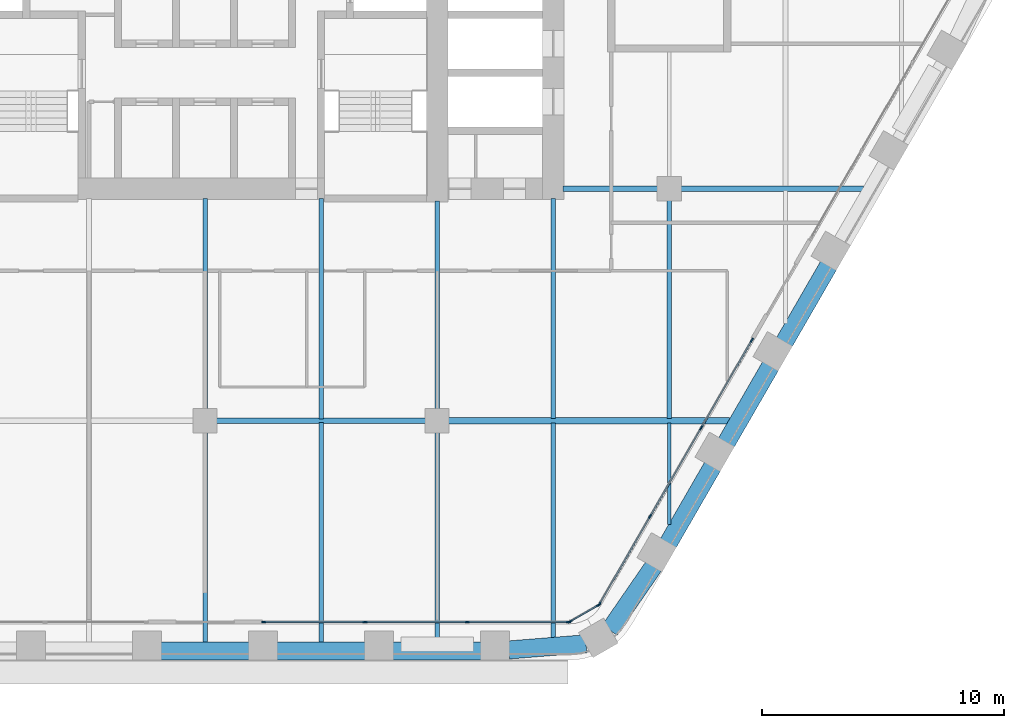
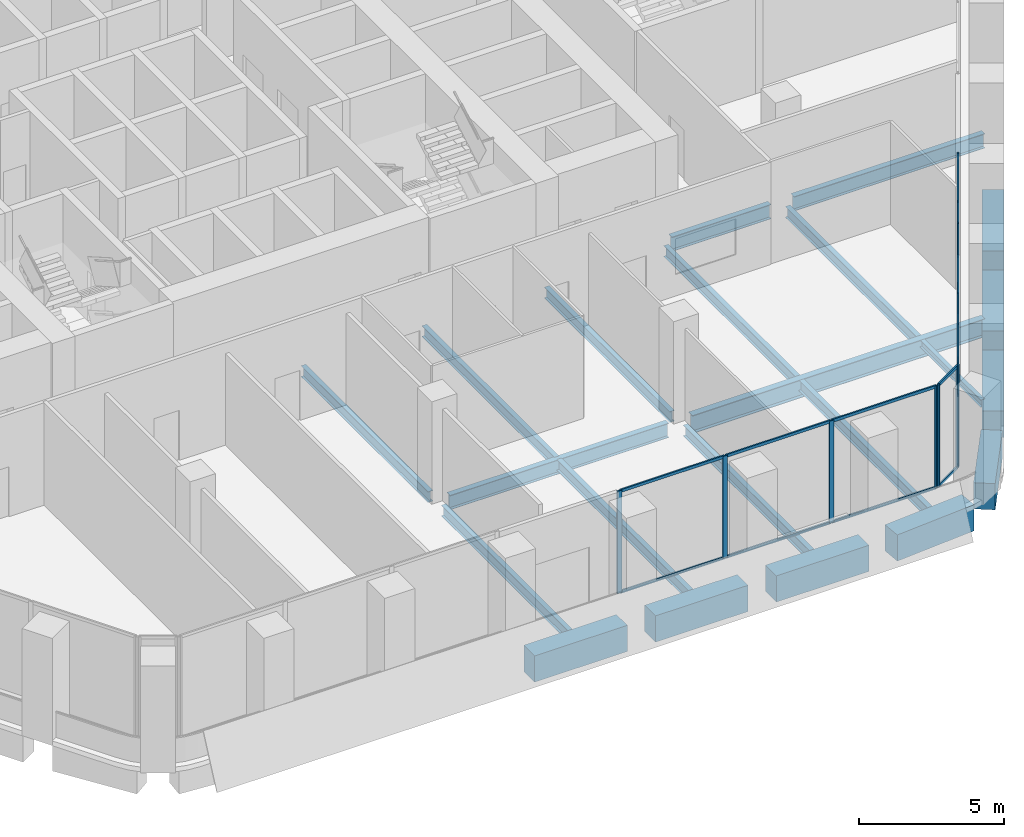
# One storey, part 4 of 22: 24 members, 22 beams, 3 elements without a shape of their own.
"""IFC4 building model written with IfcOpenShell, lengths in metres."""

from ifc_helpers import new_model, si_unit, direction, frame, origin, origin_2d, place, context, subcontext, project, spatial, rectangle, i_section, extrude, material, material_profile, profile_set, type_object, element, aggregate, save


model = new_model("IFC4")

# Units and contexts
model_context = context("Model", 3, precision=1e-05, world=origin(), true_north=direction((0.0, 1.0)))
body_context = subcontext(model_context, "Body", "Model", "MODEL_VIEW")
ifc_project = project(units=[si_unit("LENGTHUNIT", "METRE"), si_unit("AREAUNIT", "SQUARE_METRE"), si_unit("VOLUMEUNIT", "CUBIC_METRE"), si_unit("PLANEANGLEUNIT", "RADIAN"), si_unit("MASSUNIT", "GRAM", prefix="KILO")], contexts=[model_context])

# Site, building, storey
site_placement = place(None, origin())
site = spatial("IfcSite", under=ifc_project, at=site_placement, CompositionType="ELEMENT")
building_placement = place(site_placement, origin())
building = spatial("IfcBuilding", under=site, at=building_placement, Name="Kolab Exchange Tower", CompositionType="ELEMENT")
storey_placement = place(building_placement, frame((0.0, 0.0, 82.39990234375)))
storey = spatial("IfcBuildingStorey", under=building, at=storey_placement, Name="L15", CompositionType="ELEMENT", Elevation=82.39990234375)

# Beams
ifc_material_1 = material(Name="Steel S355", Category="steel")
ifc_material_profile_1 = material_profile(ifc_material_1, i_section(OverallWidth=0.1650390625, OverallDepth=0.31005859375, WebThickness=0.005859375, FlangeThickness=0.009765625, at=origin_2d()), Name="W310X39")
ifc_profile_set_1 = profile_set([ifc_material_profile_1], Name="Steel S355")
beam_type_1 = type_object("IfcBeamType", Name="FLOOR BEAM W310X39", PredefinedType="BEAM", material=ifc_profile_set_1)
beam_1_placement = place(storey_placement, frame((19.199951171875, -23.4814453125, -0.35498046875), z_axis=(0.0, 1.0, 0.0), x_axis=(-1.0, 0.0, 0.0)))
element("IfcBeam", 1, at=beam_1_placement, inside=storey, type_object=beam_type_1, Name="beam/L15/fr/040", PredefinedType="BEAM", context=body_context, shape_type="SweptSolid", body=[
    extrude(i_section(OverallWidth=0.1650390625, OverallDepth=0.31005859375, WebThickness=0.005859375, FlangeThickness=0.009765625, at=origin_2d()), origin(), (0.0, 0.0, 1.0), 4.18798828125),
])
ifc_material_profile_2 = material_profile(ifc_material_1, i_section(OverallWidth=0.18994140625, OverallDepth=0.45703125, WebThickness=0.009033203125, FlangeThickness=0.014404296875, at=origin_2d()), Name="W460X74")
ifc_profile_set_2 = profile_set([ifc_material_profile_2], Name="Steel S355")
beam_type_2 = type_object("IfcBeamType", Name="FLOOR BEAM W460X74", PredefinedType="BEAM", material=ifc_profile_set_2)
beam_2_placement = place(storey_placement, frame((0.0, -28.388427734375, -0.428466796875), z_axis=(0.0, 1.0, 0.0), x_axis=(-1.0, 0.0, 0.0)))
element("IfcBeam", 2, at=beam_2_placement, inside=storey, type_object=beam_type_2, Name="beam/L15/fr/024", PredefinedType="BEAM", context=body_context, shape_type="SweptSolid", body=[
    extrude(i_section(OverallWidth=0.18994140625, OverallDepth=0.45703125, WebThickness=0.009033203125, FlangeThickness=0.014404296875, at=origin_2d()), origin(), (0.0, 0.0, 1.0), 8.728515625),
])
beam_3_placement = place(storey_placement, frame((0.0, -18.739990234375, -0.428466796875), z_axis=(0.0, 1.0, 0.0), x_axis=(-1.0, 0.0, 0.0)))
element("IfcBeam", 3, at=beam_3_placement, inside=storey, type_object=beam_type_2, Name="beam/L15/fr/025", PredefinedType="BEAM", context=body_context, shape_type="SweptSolid", body=[
    extrude(i_section(OverallWidth=0.18994140625, OverallDepth=0.45703125, WebThickness=0.009033203125, FlangeThickness=0.014404296875, at=origin_2d()), origin(), (0.0, 0.0, 1.0), 8.72998046875),
])
beam_4_placement = place(storey_placement, frame((4.800048828125, -28.388427734375, -0.428466796875), z_axis=(0.0, 1.0, 0.0), x_axis=(-1.0, 0.0, 0.0)))
element("IfcBeam", 4, at=beam_4_placement, inside=storey, type_object=beam_type_2, Name="beam/L15/fr/028", PredefinedType="BEAM", context=body_context, shape_type="SweptSolid", body=[
    extrude(i_section(OverallWidth=0.18994140625, OverallDepth=0.45703125, WebThickness=0.009033203125, FlangeThickness=0.014404296875, at=origin_2d()), origin(), (0.0, 0.0, 1.0), 9.114501953125),
])
beam_5_placement = place(storey_placement, frame((4.800048828125, -19.1259765625, -0.428466796875), z_axis=(0.0, 1.0, 0.0), x_axis=(-1.0, 0.0, 0.0)))
element("IfcBeam", 5, at=beam_5_placement, inside=storey, type_object=beam_type_2, Name="beam/L15/fr/029", PredefinedType="BEAM", context=body_context, shape_type="SweptSolid", body=[
    extrude(i_section(OverallWidth=0.18994140625, OverallDepth=0.45703125, WebThickness=0.009033203125, FlangeThickness=0.014404296875, at=origin_2d()), origin(), (0.0, 0.0, 1.0), 9.115966796875),
])
beam_6_placement = place(storey_placement, frame((9.60009765625, -28.388427734375, -0.428466796875), z_axis=(0.0, 1.0, 0.0), x_axis=(-1.0, 0.0, 0.0)))
element("IfcBeam", 6, at=beam_6_placement, inside=storey, type_object=beam_type_2, Name="beam/L15/fr/032", PredefinedType="BEAM", context=body_context, shape_type="SweptSolid", body=[
    extrude(i_section(OverallWidth=0.18994140625, OverallDepth=0.45703125, WebThickness=0.009033203125, FlangeThickness=0.014404296875, at=origin_2d()), origin(), (0.0, 0.0, 1.0), 8.728515625),
])
beam_7_placement = place(storey_placement, frame((9.60009765625, -18.739990234375, -0.428466796875), z_axis=(0.0, 1.0, 0.0), x_axis=(-1.0, 0.0, 0.0)))
element("IfcBeam", 7, at=beam_7_placement, inside=storey, type_object=beam_type_2, Name="beam/L15/fr/033", PredefinedType="BEAM", context=body_context, shape_type="SweptSolid", body=[
    extrude(i_section(OverallWidth=0.18994140625, OverallDepth=0.45703125, WebThickness=0.009033203125, FlangeThickness=0.014404296875, at=origin_2d()), origin(), (0.0, 0.0, 1.0), 8.6298828125),
])
beam_8_placement = place(storey_placement, frame((14.39990234375, -28.194580078125, -0.428466796875), z_axis=(0.0, 1.0, 0.0), x_axis=(-1.0, 0.0, 0.0)))
element("IfcBeam", 8, at=beam_8_placement, inside=storey, type_object=beam_type_2, Name="beam/L15/fr/036", PredefinedType="BEAM", context=body_context, shape_type="SweptSolid", body=[
    extrude(i_section(OverallWidth=0.18994140625, OverallDepth=0.45703125, WebThickness=0.009033203125, FlangeThickness=0.014404296875, at=origin_2d()), origin(), (0.0, 0.0, 1.0), 8.901123046875),
])
beam_9_placement = place(storey_placement, frame((14.39990234375, -19.1064453125, -0.428466796875), z_axis=(0.0, 1.0, 0.0), x_axis=(-1.0, 0.0, 0.0)))
element("IfcBeam", 9, at=beam_9_placement, inside=storey, type_object=beam_type_2, Name="beam/L15/fr/037", PredefinedType="BEAM", context=body_context, shape_type="SweptSolid", body=[
    extrude(i_section(OverallWidth=0.18994140625, OverallDepth=0.45703125, WebThickness=0.009033203125, FlangeThickness=0.014404296875, at=origin_2d()), origin(), (0.0, 0.0, 1.0), 9.096435546875),
])
beam_10_placement = place(storey_placement, frame((19.199951171875, -19.1064453125, -0.428466796875), z_axis=(0.0, 1.0, 0.0), x_axis=(-1.0, 0.0, 0.0)))
element("IfcBeam", 10, at=beam_10_placement, inside=storey, type_object=beam_type_2, Name="beam/L15/fr/041", PredefinedType="BEAM", context=body_context, shape_type="SweptSolid", body=[
    extrude(i_section(OverallWidth=0.18994140625, OverallDepth=0.45703125, WebThickness=0.009033203125, FlangeThickness=0.014404296875, at=origin_2d()), origin(), (0.0, 0.0, 1.0), 9.04638671875),
])
ifc_material_profile_3 = material_profile(ifc_material_1, i_section(OverallWidth=0.22802734375, OverallDepth=0.60791015625, WebThickness=0.01123046875, FlangeThickness=0.017333984375, at=origin_2d()), Name="W610X113")
ifc_profile_set_3 = profile_set([ifc_material_profile_3], Name="Steel S355")
beam_type_3 = type_object("IfcBeamType", Name="FLOOR GIRDER W610X113", PredefinedType="BEAM", material=ifc_profile_set_3)
beam_11_placement = place(storey_placement, frame((0.4599609375, -19.199951171875, -0.50390625), z_axis=(1.0, 0.0, 0.0), x_axis=(0.0, 1.0, 0.0)))
element("IfcBeam", 11, at=beam_11_placement, inside=storey, type_object=beam_type_3, Name="beam/L15/gd/010", PredefinedType="BEAM", context=body_context, shape_type="SweptSolid", body=[
    extrude(i_section(OverallWidth=0.22802734375, OverallDepth=0.60791015625, WebThickness=0.01123046875, FlangeThickness=0.017333984375, at=origin_2d()), origin(), (0.0, 0.0, 1.0), 8.679931640625),
])
beam_12_placement = place(storey_placement, frame((14.81005859375, -9.60009765625, -0.50390625), z_axis=(1.0, 0.0, 0.0), x_axis=(0.0, 1.0, 0.0)))
element("IfcBeam", 12, at=beam_12_placement, inside=storey, type_object=beam_type_3, Name="beam/L15/gd/014", PredefinedType="BEAM", context=body_context, shape_type="SweptSolid", body=[
    extrude(i_section(OverallWidth=0.22802734375, OverallDepth=0.60791015625, WebThickness=0.01123046875, FlangeThickness=0.017333984375, at=origin_2d()), origin(), (0.0, 0.0, 1.0), 3.929931640625),
])
beam_13_placement = place(storey_placement, frame((19.659912109375, -9.60009765625, -0.50390625), z_axis=(1.0, 0.0, 0.0), x_axis=(0.0, 1.0, 0.0)))
element("IfcBeam", 13, at=beam_13_placement, inside=storey, type_object=beam_type_3, Name="beam/L15/gd/017", PredefinedType="BEAM", context=body_context, shape_type="SweptSolid", body=[
    extrude(i_section(OverallWidth=0.22802734375, OverallDepth=0.60791015625, WebThickness=0.01123046875, FlangeThickness=0.017333984375, at=origin_2d()), origin(), (0.0, 0.0, 1.0), 7.571533203125),
])
ifc_material_profile_4 = material_profile(ifc_material_1, i_section(OverallWidth=0.26708984375, OverallDepth=0.761962890625, WebThickness=0.014404296875, FlangeThickness=0.021484375, at=origin_2d()), Name="W760X173")
ifc_profile_set_4 = profile_set([ifc_material_profile_4], Name="Steel S355")
beam_type_4 = type_object("IfcBeamType", Name="FLOOR GIRDER W760X173", PredefinedType="BEAM", material=ifc_profile_set_4)
beam_14_placement = place(storey_placement, frame((10.06005859375, -19.199951171875, -0.580810546875), z_axis=(1.0, 0.0, 0.0), x_axis=(0.0, 1.0, 0.0)))
element("IfcBeam", 14, at=beam_14_placement, inside=storey, type_object=beam_type_4, Name="beam/L15/gd/012", PredefinedType="BEAM", context=body_context, shape_type="SweptSolid", body=[
    extrude(i_section(OverallWidth=0.26708984375, OverallDepth=0.761962890625, WebThickness=0.014404296875, FlangeThickness=0.021484375, at=origin_2d()), origin(), (0.0, 0.0, 1.0), 11.628662109375),
])
ifc_material_2 = material(Name="Concrete C70/85", Category="concrete")
ifc_material_profile_5 = material_profile(ifc_material_2, rectangle(XDim=0.75, YDim=1.10009765625, at=origin_2d()), Name="RC750X1100")
ifc_profile_set_5 = profile_set([ifc_material_profile_5], Name="Concrete C70/85")
beam_type_5 = type_object("IfcBeamType", Name="SPANDREL BEAM 750X1100 C70/85", PredefinedType="BEAM", material=ifc_profile_set_5)
beam_15_placement = place(storey_placement, frame((25.795166015625, -12.768310546875, -0.75), z_axis=(-0.499963655964, -0.866046386007, 0.0), x_axis=(0.866046386007, -0.499963655964, 0.0)))
element("IfcBeam", 15, at=beam_15_placement, inside=storey, type_object=beam_type_5, Name="beam/L15/sp/F3-04", PredefinedType="BEAM", context=body_context, shape_type="SweptSolid", body=[
    extrude(rectangle(XDim=0.75, YDim=1.10009765625, at=origin_2d()), origin(), (0.0, 0.0, 1.0), 3.679931640625),
])
for number, where, z_axis, x_axis, name in (
    (16, (23.395263671875, -16.925048828125, -0.75), (-0.500013413428, -0.866017659399, 0.0), (0.866017659399, -0.500013413428, 0.0), "beam/L15/sp/F3-05"),
    (17, (20.995361328125, -21.08203125, -0.75), (-0.500013413428, -0.866017659399, 0.0), (0.866017659399, -0.500013413428, 0.0), "beam/L15/sp/F3-06"),
):
    element("IfcBeam", number, at=place(storey_placement, frame(where, z_axis=z_axis, x_axis=x_axis)), inside=storey, type_object=beam_type_5, Name=name, PredefinedType="BEAM", context=body_context, shape_type="SweptSolid", body=[
        extrude(rectangle(XDim=0.75, YDim=1.10009765625, at=origin_2d()), origin(), (0.0, 0.0, 1.0), 3.68017578125),
    ])
for number, where, z_axis, x_axis, name in (
    (18, (18.55615234375, -25.216552734375, -0.75), (-0.567661826262, -0.823261836237, 0.0), (0.823261836237, -0.567661826262, 0.0), "beam/L15/sp/F3-07"),
    (19, (15.75830078125, -28.421630859375, -0.75), (-0.996791038408, -0.080047646748, 0.0), (0.080047646748, -0.996791038408, 0.0), "beam/L15/sp/F4-01"),
):
    element("IfcBeam", number, at=place(storey_placement, frame(where, z_axis=z_axis, x_axis=x_axis)), inside=storey, type_object=beam_type_5, Name=name, PredefinedType="BEAM", context=body_context, shape_type="SweptSolid", body=[
        extrude(rectangle(XDim=0.75, YDim=1.10009765625, at=origin_2d()), origin(), (0.0, 0.0, 1.0), 3.20849609375),
    ])
for number, where, z_axis, x_axis, name in (
    (20, (11.43994140625, -28.723388671875, -0.75), (-1.0, 0.0, 0.0), (0.0, -1.0, 0.0), "beam/L15/sp/F4-02"),
    (21, (6.639892578125, -28.723388671875, -0.75), (-1.0, 0.0, 0.0), (0.0, -1.0, 0.0), "beam/L15/sp/F4-03"),
):
    element("IfcBeam", number, at=place(storey_placement, frame(where, z_axis=z_axis, x_axis=x_axis)), inside=storey, type_object=beam_type_5, Name=name, PredefinedType="BEAM", context=body_context, shape_type="SweptSolid", body=[
        extrude(rectangle(XDim=0.75, YDim=1.10009765625, at=origin_2d()), origin(), (0.0, 0.0, 1.0), 3.679931640625),
    ])
beam_16_placement = place(storey_placement, frame((1.840087890625, -28.723388671875, -0.75), z_axis=(-1.0, 0.0, 0.0), x_axis=(0.0, -1.0, 0.0)))
element("IfcBeam", 22, at=beam_16_placement, inside=storey, type_object=beam_type_5, Name="beam/L15/sp/F4-04", PredefinedType="BEAM", context=body_context, shape_type="SweptSolid", body=[
    extrude(rectangle(XDim=0.75, YDim=1.10009765625, at=origin_2d()), origin(), (0.0, 0.0, 1.0), 3.68017578125),
])

# Curtain wall, members
ifc_material_3 = material(Name="Aluminium EN AW-6063 T6", Category="aluminium")
curtain_wall_type = type_object("IfcCurtainWallType", Name="UNITISED LOWER MID ZONE CURTAIN WALL", PredefinedType="NOTDEFINED", material=ifc_material_3)
curtain_wall_1_placement = place(storey_placement, origin())
curtain_wall_1 = element("IfcCurtainWall", 23, at=curtain_wall_1_placement, inside=storey, type_object=curtain_wall_type, Name="cw/L15/F3-2", PredefinedType="NOTDEFINED")
ifc_material_profile_6 = material_profile(ifc_material_3, rectangle(XDim=0.06005859375, YDim=0.179931640625, at=origin_2d()), Name="RECT 60X180")
ifc_profile_set_6 = profile_set([ifc_material_profile_6], Name="Aluminium EN AW-6063 T6")
member_type_1 = type_object("IfcMemberType", Name="UNITISED LOWER MID ZONE MULLION 60 X 180", PredefinedType="MULLION", material=ifc_profile_set_6)
member_1_placement = place(storey_placement, frame((22.61669921875, -15.86376953125, 0.0), z_axis=(0.0, 0.0, 1.0), x_axis=(0.866025393644, -0.500000017564, 0.0)))
member_1 = element("IfcMember", 24, at=member_1_placement, type_object=member_type_1, Name="CW2 mullion 1", PredefinedType="MULLION", context=body_context, shape_type="SweptSolid", body=[
    extrude(rectangle(XDim=0.06005859375, YDim=0.179931640625, at=origin_2d()), origin(), (0.0, 0.0, 1.0), 4.300048828125),
])
member_2_placement = place(storey_placement, frame((20.520263671875, -19.49462890625, 0.0), z_axis=(0.0, 0.0, 1.0), x_axis=(0.866025393644, -0.500000017564, 0.0)))
member_2 = element("IfcMember", 25, at=member_2_placement, type_object=member_type_1, Name="CW2 mullion 2", PredefinedType="MULLION", context=body_context, shape_type="SweptSolid", body=[
    extrude(rectangle(XDim=0.06005859375, YDim=0.179931640625, at=origin_2d()), origin(), (0.0, 0.0, 1.0), 4.300048828125),
])
member_3_placement = place(storey_placement, frame((18.408935546875, -23.151611328125, 0.0), z_axis=(0.0, 0.0, 1.0), x_axis=(0.866025393644, -0.500000017564, 0.0)))
member_3 = element("IfcMember", 26, at=member_3_placement, type_object=member_type_1, Name="CW2 mullion 3", PredefinedType="MULLION", context=body_context, shape_type="SweptSolid", body=[
    extrude(rectangle(XDim=0.06005859375, YDim=0.179931640625, at=origin_2d()), origin(), (0.0, 0.0, 1.0), 4.300048828125),
])
member_4_placement = place(storey_placement, frame((16.312744140625, -26.782470703125, 0.0), z_axis=(0.0, 0.0, 1.0), x_axis=(0.866025393644, -0.500000017564, 0.0)))
member_4 = element("IfcMember", 27, at=member_4_placement, type_object=member_type_1, Name="CW2 mullion 4", PredefinedType="MULLION", context=body_context, shape_type="SweptSolid", body=[
    extrude(rectangle(XDim=0.06005859375, YDim=0.179931640625, at=origin_2d()), origin(), (0.0, 0.0, 1.0), 4.300048828125),
])

curtain_wall_2_placement = place(storey_placement, origin())
curtain_wall_2 = element("IfcCurtainWall", 28, at=curtain_wall_2_placement, inside=storey, type_object=curtain_wall_type, Name="cw/L15/F4-1", PredefinedType="NOTDEFINED")
member_5_placement = place(storey_placement, frame((15.037841796875, -27.5185546875, 0.0), z_axis=(0.0, 0.0, 1.0), x_axis=(0.0, -1.0, 0.0)))
member_5 = element("IfcMember", 29, at=member_5_placement, type_object=member_type_1, Name="CW2 mullion 1", PredefinedType="MULLION", context=body_context, shape_type="SweptSolid", body=[
    extrude(rectangle(XDim=0.06005859375, YDim=0.179931640625, at=origin_2d()), origin(), (0.0, 0.0, 1.0), 4.300048828125),
])
member_6_placement = place(storey_placement, frame((10.84521484375, -27.5185546875, 0.0), z_axis=(0.0, 0.0, 1.0), x_axis=(0.0, -1.0, 0.0)))
member_6 = element("IfcMember", 30, at=member_6_placement, type_object=member_type_1, Name="CW2 mullion 2", PredefinedType="MULLION", context=body_context, shape_type="SweptSolid", body=[
    extrude(rectangle(XDim=0.06005859375, YDim=0.179931640625, at=origin_2d()), origin(), (0.0, 0.0, 1.0), 4.300048828125),
])
member_7_placement = place(storey_placement, frame((6.62255859375, -27.5185546875, 0.0), z_axis=(0.0, 0.0, 1.0), x_axis=(0.0, -1.0, 0.0)))
member_7 = element("IfcMember", 31, at=member_7_placement, type_object=member_type_1, Name="CW2 mullion 3", PredefinedType="MULLION", context=body_context, shape_type="SweptSolid", body=[
    extrude(rectangle(XDim=0.06005859375, YDim=0.179931640625, at=origin_2d()), origin(), (0.0, 0.0, 1.0), 4.300048828125),
])
member_8_placement = place(storey_placement, frame((2.429931640625, -27.5185546875, 0.0), z_axis=(0.0, 0.0, 1.0), x_axis=(0.0, -1.0, 0.0)))
member_8 = element("IfcMember", 32, at=member_8_placement, type_object=member_type_1, Name="CW2 mullion 4", PredefinedType="MULLION", context=body_context, shape_type="SweptSolid", body=[
    extrude(rectangle(XDim=0.06005859375, YDim=0.179931640625, at=origin_2d()), origin(), (0.0, 0.0, 1.0), 4.300048828125),
])

curtain_wall_3_placement = place(storey_placement, origin())
curtain_wall_3 = element("IfcCurtainWall", 33, at=curtain_wall_3_placement, inside=storey, type_object=curtain_wall_type, Name="cw/L15/F3F4-corner", PredefinedType="NOTDEFINED")
member_9_placement = place(storey_placement, frame((16.271728515625, -26.823486328125, 0.0), z_axis=(0.0, 0.0, 1.0), x_axis=(0.50000002237, -0.866025390869, 0.0)))
member_9 = element("IfcMember", 34, at=member_9_placement, type_object=member_type_1, Name="CW2 mullion 1", PredefinedType="MULLION", context=body_context, shape_type="SweptSolid", body=[
    extrude(rectangle(XDim=0.06005859375, YDim=0.179931640625, at=origin_2d()), origin(), (0.0, 0.0, 1.0), 4.300048828125),
])
member_10_placement = place(storey_placement, frame((15.093994140625, -27.50341796875, 0.0), z_axis=(0.0, 0.0, 1.0), x_axis=(0.50000002237, -0.866025390869, 0.0)))
member_10 = element("IfcMember", 35, at=member_10_placement, type_object=member_type_1, Name="CW2 mullion 2", PredefinedType="MULLION", context=body_context, shape_type="SweptSolid", body=[
    extrude(rectangle(XDim=0.06005859375, YDim=0.179931640625, at=origin_2d()), origin(), (0.0, 0.0, 1.0), 4.300048828125),
])

# Member
ifc_material_profile_7 = material_profile(ifc_material_3, rectangle(XDim=0.06005859375, YDim=0.1201171875, at=origin_2d()), Name="RECT 60X120")
ifc_profile_set_7 = profile_set([ifc_material_profile_7], Name="Aluminium EN AW-6063 T6")
member_type_2 = type_object("IfcMemberType", Name="UNITISED LOWER MID ZONE TRANSOM 60 X 120", PredefinedType="USERDEFINED", material=ifc_profile_set_7)
member_11_placement = place(storey_placement, frame((22.6015625, -15.8896484375, 0.030029296875), z_axis=(-0.499957688808, -0.866049830784, 0.0), x_axis=(0.866049830784, -0.499957688808, 0.0)))
member_11 = element("IfcMember", 36, at=member_11_placement, type_object=member_type_2, Name="CW2 transom 1.1", ObjectType="TRANSOM", PredefinedType="USERDEFINED", context=body_context, shape_type="SweptSolid", body=[
    extrude(rectangle(XDim=0.06005859375, YDim=0.1201171875, at=origin_2d()), origin(), (0.0, 0.0, 1.0), 4.132568359375),
])

member_12_placement = place(storey_placement, frame((22.6015625, -15.8896484375, 4.27001953125), z_axis=(-0.499957688808, -0.866049830784, 0.0), x_axis=(0.866049830784, -0.499957688808, 0.0)))
member_12 = element("IfcMember", 37, at=member_12_placement, type_object=member_type_2, Name="CW2 transom 1.2", ObjectType="TRANSOM", PredefinedType="USERDEFINED", context=body_context, shape_type="SweptSolid", body=[
    extrude(rectangle(XDim=0.06005859375, YDim=0.1201171875, at=origin_2d()), origin(), (0.0, 0.0, 1.0), 4.132568359375),
])

member_13_placement = place(storey_placement, frame((20.50537109375, -19.5205078125, 0.030029296875), z_axis=(-0.49999322259, -0.866029316688, 0.0), x_axis=(0.866029316688, -0.49999322259, 0.0)))
member_13 = element("IfcMember", 38, at=member_13_placement, type_object=member_type_2, Name="CW2 transom 2.1", ObjectType="TRANSOM", PredefinedType="USERDEFINED", context=body_context, shape_type="SweptSolid", body=[
    extrude(rectangle(XDim=0.06005859375, YDim=0.1201171875, at=origin_2d()), origin(), (0.0, 0.0, 1.0), 4.16259765625),
])

member_14_placement = place(storey_placement, frame((20.50537109375, -19.5205078125, 4.27001953125), z_axis=(-0.49999322259, -0.866029316688, 0.0), x_axis=(0.866029316688, -0.49999322259, 0.0)))
member_14 = element("IfcMember", 39, at=member_14_placement, type_object=member_type_2, Name="CW2 transom 2.2", ObjectType="TRANSOM", PredefinedType="USERDEFINED", context=body_context, shape_type="SweptSolid", body=[
    extrude(rectangle(XDim=0.06005859375, YDim=0.1201171875, at=origin_2d()), origin(), (0.0, 0.0, 1.0), 4.16259765625),
])

member_15_placement = place(storey_placement, frame((18.39404296875, -23.177490234375, 0.030029296875), z_axis=(-0.500001996123, -0.866024251319, 0.0), x_axis=(0.866024251319, -0.500001996123, 0.0)))
member_15 = element("IfcMember", 40, at=member_15_placement, type_object=member_type_2, Name="CW2 transom 3.1", ObjectType="TRANSOM", PredefinedType="USERDEFINED", context=body_context, shape_type="SweptSolid", body=[
    extrude(rectangle(XDim=0.06005859375, YDim=0.1201171875, at=origin_2d()), origin(), (0.0, 0.0, 1.0), 4.1328125),
])

member_16_placement = place(storey_placement, frame((18.39404296875, -23.177490234375, 4.27001953125), z_axis=(-0.500001996123, -0.866024251319, 0.0), x_axis=(0.866024251319, -0.500001996123, 0.0)))
member_16 = element("IfcMember", 41, at=member_16_placement, type_object=member_type_2, Name="CW2 transom 3.2", ObjectType="TRANSOM", PredefinedType="USERDEFINED", context=body_context, shape_type="SweptSolid", body=[
    extrude(rectangle(XDim=0.06005859375, YDim=0.1201171875, at=origin_2d()), origin(), (0.0, 0.0, 1.0), 4.1328125),
])

aggregate(curtain_wall_1, [member_1, member_2, member_3, member_4, member_11, member_12, member_13, member_14, member_15, member_16])

member_17_placement = place(storey_placement, frame((15.008056640625, -27.5185546875, 0.030029296875), z_axis=(-1.0, 0.0, 0.0), x_axis=(0.0, -1.0, 0.0)))
member_17 = element("IfcMember", 42, at=member_17_placement, type_object=member_type_2, Name="CW2 transom 1.1", ObjectType="TRANSOM", PredefinedType="USERDEFINED", context=body_context, shape_type="SweptSolid", body=[
    extrude(rectangle(XDim=0.06005859375, YDim=0.1201171875, at=origin_2d()), origin(), (0.0, 0.0, 1.0), 4.1328125),
])

member_18_placement = place(storey_placement, frame((15.008056640625, -27.5185546875, 4.27001953125), z_axis=(-1.0, 0.0, 0.0), x_axis=(0.0, -1.0, 0.0)))
member_18 = element("IfcMember", 43, at=member_18_placement, type_object=member_type_2, Name="CW2 transom 1.2", ObjectType="TRANSOM", PredefinedType="USERDEFINED", context=body_context, shape_type="SweptSolid", body=[
    extrude(rectangle(XDim=0.06005859375, YDim=0.1201171875, at=origin_2d()), origin(), (0.0, 0.0, 1.0), 4.1328125),
])

member_19_placement = place(storey_placement, frame((10.815185546875, -27.5185546875, 0.030029296875), z_axis=(-1.0, 0.0, 0.0), x_axis=(0.0, -1.0, 0.0)))
member_19 = element("IfcMember", 44, at=member_19_placement, type_object=member_type_2, Name="CW2 transom 2.1", ObjectType="TRANSOM", PredefinedType="USERDEFINED", context=body_context, shape_type="SweptSolid", body=[
    extrude(rectangle(XDim=0.06005859375, YDim=0.1201171875, at=origin_2d()), origin(), (0.0, 0.0, 1.0), 4.16259765625),
])

member_20_placement = place(storey_placement, frame((10.815185546875, -27.5185546875, 4.27001953125), z_axis=(-1.0, 0.0, 0.0), x_axis=(0.0, -1.0, 0.0)))
member_20 = element("IfcMember", 45, at=member_20_placement, type_object=member_type_2, Name="CW2 transom 2.2", ObjectType="TRANSOM", PredefinedType="USERDEFINED", context=body_context, shape_type="SweptSolid", body=[
    extrude(rectangle(XDim=0.06005859375, YDim=0.1201171875, at=origin_2d()), origin(), (0.0, 0.0, 1.0), 4.16259765625),
])

member_21_placement = place(storey_placement, frame((6.592529296875, -27.5185546875, 0.030029296875), z_axis=(-1.0, 0.0, 0.0), x_axis=(0.0, -1.0, 0.0)))
member_21 = element("IfcMember", 46, at=member_21_placement, type_object=member_type_2, Name="CW2 transom 3.1", ObjectType="TRANSOM", PredefinedType="USERDEFINED", context=body_context, shape_type="SweptSolid", body=[
    extrude(rectangle(XDim=0.06005859375, YDim=0.1201171875, at=origin_2d()), origin(), (0.0, 0.0, 1.0), 4.132568359375),
])

member_22_placement = place(storey_placement, frame((6.592529296875, -27.5185546875, 4.27001953125), z_axis=(-1.0, 0.0, 0.0), x_axis=(0.0, -1.0, 0.0)))
member_22 = element("IfcMember", 47, at=member_22_placement, type_object=member_type_2, Name="CW2 transom 3.2", ObjectType="TRANSOM", PredefinedType="USERDEFINED", context=body_context, shape_type="SweptSolid", body=[
    extrude(rectangle(XDim=0.06005859375, YDim=0.1201171875, at=origin_2d()), origin(), (0.0, 0.0, 1.0), 4.132568359375),
])

aggregate(curtain_wall_2, [member_5, member_6, member_7, member_8, member_17, member_18, member_19, member_20, member_21, member_22])

member_23_placement = place(storey_placement, frame((16.245849609375, -26.83837890625, 0.030029296875), z_axis=(-0.866004217611, -0.500036693733, 0.0), x_axis=(0.500036693733, -0.866004217611, 0.0)))
member_23 = element("IfcMember", 48, at=member_23_placement, type_object=member_type_2, Name="CW2 transom 1.1", ObjectType="TRANSOM", PredefinedType="USERDEFINED", context=body_context, shape_type="SweptSolid", body=[
    extrude(rectangle(XDim=0.06005859375, YDim=0.1201171875, at=origin_2d()), origin(), (0.0, 0.0, 1.0), 1.30029296875),
])

member_24_placement = place(storey_placement, frame((16.245849609375, -26.83837890625, 4.27001953125), z_axis=(-0.866004217611, -0.500036693733, 0.0), x_axis=(0.500036693733, -0.866004217611, 0.0)))
member_24 = element("IfcMember", 49, at=member_24_placement, type_object=member_type_2, Name="CW2 transom 1.2", ObjectType="TRANSOM", PredefinedType="USERDEFINED", context=body_context, shape_type="SweptSolid", body=[
    extrude(rectangle(XDim=0.06005859375, YDim=0.1201171875, at=origin_2d()), origin(), (0.0, 0.0, 1.0), 1.30029296875),
])

aggregate(curtain_wall_3, [member_9, member_10, member_23, member_24])

save(model, "model.ifc")
